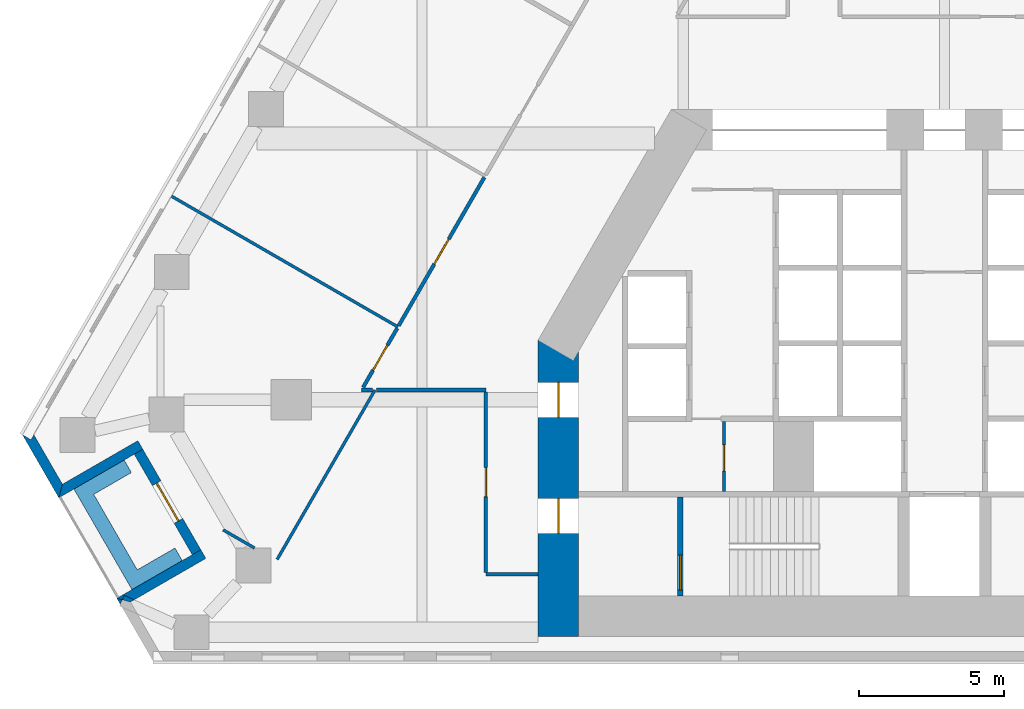
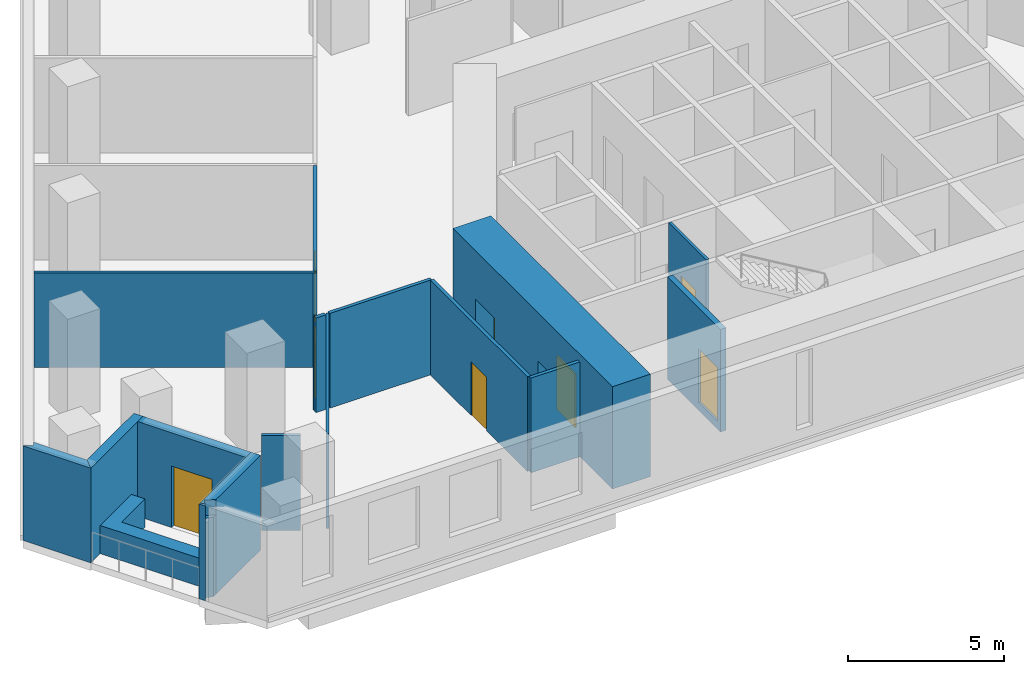
# One storey, part 3 of 11: 19 walls, 8 doors, 8 openings.
"""IFC4 building model written with IfcOpenShell, lengths in metres."""

from ifc_helpers import new_model, si_unit, direction, frame, frame_2d, origin, place, context, subcontext, project, spatial, polyline, rectangle, outline, extrude, material, layer, layer_set, type_object, element, fill, save


model = new_model("IFC4")

# Units and contexts
model_context = context("Model", 3, precision=1e-05, world=origin(), true_north=direction((0.0, 1.0)))
body_context = subcontext(model_context, "Body", "Model", "MODEL_VIEW")
ifc_project = project(units=[si_unit("LENGTHUNIT", "METRE"), si_unit("AREAUNIT", "SQUARE_METRE"), si_unit("VOLUMEUNIT", "CUBIC_METRE"), si_unit("PLANEANGLEUNIT", "RADIAN"), si_unit("MASSUNIT", "GRAM", prefix="KILO")], contexts=[model_context])

# Site, building, storey
site_placement = place(None, origin())
site = spatial("IfcSite", under=ifc_project, at=site_placement, CompositionType="ELEMENT")
building_placement = place(site_placement, origin())
building = spatial("IfcBuilding", under=site, at=building_placement, Name="Fogline Exchange Tower", CompositionType="ELEMENT")
storey_placement = place(building_placement, frame((0.0, 0.0, 60.89990234375)))
storey = spatial("IfcBuildingStorey", under=building, at=storey_placement, Name="L12", CompositionType="ELEMENT", Elevation=60.89990234375)

# Wall, opening, door
ifc_material_1 = material(Name="Blockwork partition", Category="masonry")
ifc_layer_1 = layer(ifc_material_1, 0.10009765625)
ifc_layer_set_1 = layer_set([ifc_layer_1], Name="CW10")
wall_type_1 = type_object("IfcWallType", Name="CW10", PredefinedType="PARTITIONING", material=ifc_layer_set_1)
wall_1_placement = place(storey_placement, frame((-7.60009765625, 5.85009765625, 0.0), z_axis=(0.0, 0.0, 1.0), x_axis=(0.0, 1.0, 0.0)))
wall_1 = element("IfcWall", 1, at=wall_1_placement, inside=storey, type_object=wall_type_1, Name="WC partition", PredefinedType="PARTITIONING", context=body_context, shape_type="SweptSolid", body=[
    extrude(rectangle(XDim=2.39990234375, YDim=0.10009765625, at=frame_2d((1.199951171875, 0.0))), origin(), (0.0, 0.0, 1.0), 3.7001953125),
])
opening_1_placement = place(wall_1_placement, frame((0.699951171875, 0.0, 0.0)))
opening_1 = element("IfcOpeningElement", 2, at=opening_1_placement, cuts=wall_1, Name="Opening T03-C009", PredefinedType="OPENING", context=body_context, shape_type="SweptSolid", body=[
    extrude(rectangle(XDim=0.89990234375, YDim=2.10009765625, at=frame_2d((0.449951171875, 1.050048828125))), frame((0.0, 0.06005859375, 0.0), z_axis=(0.0, -1.0, 0.0), x_axis=(1.0, 0.0, 0.0)), (0.0, 0.0, 1.0), 0.1201171875),
])
ifc_material_2 = material(Name="Steel and timber fire door", Category="steel")
door_type_1 = type_object("IfcDoorType", Name="D-CS1", OperationType="SINGLE_SWING_RIGHT", PredefinedType="DOOR", material=ifc_material_2)
door_1_placement = place(opening_1_placement, frame((0.89990234375, 0.0, 0.0), z_axis=(0.0, 0.0, 1.0), x_axis=(-1.0, 0.0, 0.0)))
door_1 = element("IfcDoor", 3, at=door_1_placement, inside=storey, type_object=door_type_1, Name="Door to Cleaner's Store", OperationType="SINGLE_SWING_RIGHT", OverallHeight=2.10009765625, OverallWidth=0.89990234375, PredefinedType="DOOR", context=body_context, shape_type="SweptSolid", body=[
    extrude(rectangle(XDim=0.89990234375, YDim=2.10009765625, at=frame_2d((0.449951171875, 1.050048828125))), frame((0.0, 0.02490234375, 0.0), z_axis=(0.0, -1.0, 0.0), x_axis=(1.0, 0.0, 0.0)), (0.0, 0.0, 1.0), 0.050048828125),
])
fill(opening_1, door_1)

ifc_material_3 = material(Name="Concrete C40", Category="concrete")
ifc_layer_2 = layer(ifc_material_3, 0.199951171875)
ifc_layer_set_2 = layer_set([ifc_layer_2], Name="CW20R")
wall_type_2 = type_object("IfcWallType", Name="CW20R", PredefinedType="SOLIDWALL", material=ifc_layer_set_2)
wall_2_placement = place(storey_placement, frame((-9.10009765625, 2.25, -0.2998046875), z_axis=(0.0, 0.0, 1.0), x_axis=(0.0, 1.0, 0.0)))
wall_2 = element("IfcWall", 4, at=wall_2_placement, inside=storey, type_object=wall_type_2, Name="Stair enclosure wall", PredefinedType="SOLIDWALL", context=body_context, shape_type="SweptSolid", body=[
    extrude(rectangle(XDim=3.39990234375, YDim=0.199951171875, at=frame_2d((1.699951171875, 0.0))), origin(), (0.0, 0.0, 1.0), 4.0),
])
opening_2_placement = place(wall_2_placement, frame((0.199951171875, 0.0, 0.300048828125)))
opening_2 = element("IfcOpeningElement", 5, at=opening_2_placement, cuts=wall_2, Name="Opening T03-C011", PredefinedType="OPENING", context=body_context, shape_type="SweptSolid", body=[
    extrude(rectangle(XDim=1.199951171875, YDim=2.10009765625, at=frame_2d((0.60009765625, 1.050048828125))), frame((0.0, 0.10986328125, 0.0), z_axis=(0.0, -1.0, 0.0), x_axis=(1.0, 0.0, 0.0)), (0.0, 0.0, 1.0), 0.219970703125),
])
door_type_2 = type_object("IfcDoorType", Name="D-ST1", OperationType="SINGLE_SWING_LEFT", PredefinedType="DOOR", material=ifc_material_2)
door_2_placement = place(opening_2_placement, frame((1.199951171875, 0.0, 0.0), z_axis=(0.0, 0.0, 1.0), x_axis=(-1.0, 0.0, 0.0)))
door_2 = element("IfcDoor", 6, at=door_2_placement, inside=storey, type_object=door_type_2, Name="Stair door ST1", OperationType="SINGLE_SWING_RIGHT", OverallHeight=2.10009765625, OverallWidth=1.199951171875, PredefinedType="DOOR", context=body_context, shape_type="SweptSolid", body=[
    extrude(rectangle(XDim=1.199951171875, YDim=2.10009765625, at=frame_2d((0.60009765625, 1.050048828125))), frame((0.0, 0.02490234375, 0.0), z_axis=(0.0, -1.0, 0.0), x_axis=(1.0, 0.0, 0.0)), (0.0, 0.0, 1.0), 0.050048828125),
])
fill(opening_2, door_2)

# Walls
ifc_material_4 = material(Name="Brick masonry", Category="masonry")
ifc_layer_3 = layer(ifc_material_4, 0.340087890625)
ifc_layer_set_3 = layer_set([ifc_layer_3], Name="FW1")
wall_type_3 = type_object("IfcWallType", Name="FW1", PredefinedType="SOLIDWALL", material=ifc_layer_set_3)
wall_3_placement = place(storey_placement, origin())
element("IfcWall", 7, at=wall_3_placement, inside=storey, type_object=wall_type_3, Name="Brick wall L12 SW-c1", PredefinedType="SOLIDWALL", context=body_context, shape_type="SweptSolid", body=[
    extrude(outline(polyline([(-30.505126953125, 5.6279296875), (-31.75634765625, 7.794921875), (-31.755859375, 7.79541015625), (-31.4609375, 7.625), (-31.362548828125, 7.79541015625), (-30.380126953125, 6.09375), (-30.5048828125, 5.6279296875), (-30.505126953125, 5.6279296875)])), origin(), (0.0, 0.0, 1.0), 3.7001953125),
])
wall_4_placement = place(storey_placement, origin())
element("IfcWall", 8, at=wall_4_placement, inside=storey, type_object=wall_type_3, Name="Brick wall L12 SW-s1", PredefinedType="SOLIDWALL", context=body_context, shape_type="SweptSolid", body=[
    extrude(outline(polyline([(-27.782470703125, 7.594482421875), (-27.61181640625, 7.298828125), (-27.90673828125, 7.128662109375), (-30.505859375, 5.628173828125), (-30.506103515625, 5.62841796875), (-30.38134765625, 6.093994140625), (-27.782470703125, 7.594482421875)])), origin(), (0.0, 0.0, 1.0), 3.7001953125),
])

# Wall, opening, door
wall_5_placement = place(storey_placement, frame((-27.760009765625, 7.214111328125, 0.0), z_axis=(0.0, 0.0, 1.0), x_axis=(0.49999894854, -0.866026010844, 0.0)))
wall_5 = element("IfcWall", 9, at=wall_5_placement, inside=storey, type_object=wall_type_3, Name="Brick wall L12 SW-bk", PredefinedType="SOLIDWALL", context=body_context, shape_type="SweptSolid", body=[
    extrude(rectangle(XDim=4.0, YDim=0.340087890625, at=frame_2d((2.0, 0.0))), origin(), (0.0, 0.0, 1.0), 3.7001953125),
])
opening_3_placement = place(wall_5_placement, frame((1.25, 0.0, 0.0)))
opening_3 = element("IfcOpeningElement", 10, at=opening_3_placement, cuts=wall_5, Name="Opening T03-E021", PredefinedType="OPENING", context=body_context, shape_type="SweptSolid", body=[
    extrude(rectangle(XDim=1.5, YDim=2.39990234375, at=frame_2d((0.75, 1.199951171875))), frame((0.0, 0.18017578125, 0.0), z_axis=(0.0, -1.0, 0.0), x_axis=(1.0, 0.0, 0.0)), (0.0, 0.0, 1.0), 0.360107421875),
])
ifc_material_5 = material(Name="Aluminium and glass", Category="aluminium")
door_type_3 = type_object("IfcDoorType", Name="ED4", OperationType="SINGLE_SWING_LEFT", PredefinedType="DOOR", material=ifc_material_5)
door_3_placement = place(opening_3_placement, frame((1.5, 0.0, 0.0), z_axis=(0.0, 0.0, 1.0), x_axis=(-1.0, 0.0, 0.0)))
door_3 = element("IfcDoor", 11, at=door_3_placement, inside=storey, type_object=door_type_3, Name="Balcony door L12 SW", OperationType="DOUBLE_DOOR_SINGLE_SWING", OverallHeight=2.39990234375, OverallWidth=1.5, PredefinedType="DOOR", context=body_context, shape_type="SweptSolid", body=[
    extrude(rectangle(XDim=1.5, YDim=2.39990234375, at=frame_2d((0.75, 1.199951171875))), frame((0.0, 0.02490234375, 0.0), z_axis=(0.0, -1.0, 0.0), x_axis=(1.0, 0.0, 0.0)), (0.0, 0.0, 1.0), 0.050048828125),
])
fill(opening_3, door_3)

# Walls
wall_6_placement = place(storey_placement, origin())
element("IfcWall", 12, at=wall_6_placement, inside=storey, type_object=wall_type_3, Name="Brick wall L12 SW-s2", PredefinedType="SOLIDWALL", context=body_context, shape_type="SweptSolid", body=[
    extrude(outline(polyline([(-28.040771484375, 2.0400390625), (-28.321044921875, 2.114990234375), (-28.25146484375, 2.2685546875), (-27.911376953125, 2.11474609375), (-28.040771484375, 2.0400390625)])), origin(), (0.0, 0.0, 1.0), 3.10009765625),
])
wall_7_placement = place(storey_placement, origin())
element("IfcWall", 13, at=wall_7_placement, inside=storey, type_object=wall_type_3, Name="Brick wall L12 SW-s2", PredefinedType="SOLIDWALL", context=body_context, shape_type="SweptSolid", body=[
    extrude(outline(polyline([(-25.907470703125, 3.66552734375), (-25.612548828125, 3.8359375), (-25.44189453125, 3.540283203125), (-27.911376953125, 2.11474609375), (-28.25146484375, 2.2685546875), (-28.321044921875, 2.114990234375), (-28.50634765625, 2.164794921875), (-28.50634765625, 2.1650390625), (-25.907470703125, 3.66552734375)])), origin(), (0.0, 0.0, 1.0), 3.7001953125),
])
wall_8_placement = place(storey_placement, origin())
element("IfcWall", 14, at=wall_8_placement, inside=storey, type_object=wall_type_3, Name="Brick wall L12 SW-c2", PredefinedType="SOLIDWALL", context=body_context, shape_type="SweptSolid", body=[
    extrude(outline(polyline([(-28.50634765625, 2.165771484375), (-28.506103515625, 2.166015625), (-28.3203125, 2.1162109375), (-28.389404296875, 1.96337890625), (-28.50634765625, 2.165771484375)])), origin(), (0.0, 0.0, 1.0), 3.7001953125),
])
ifc_material_6 = material(Name="Concrete C30", Category="concrete")
ifc_layer_4 = layer(ifc_material_6, 0.199951171875)
ifc_layer_set_4 = layer_set([ifc_layer_4], Name="PL1")
wall_type_4 = type_object("IfcWallType", Name="PL1", PredefinedType="USERDEFINED", material=ifc_layer_set_4)
wall_9_placement = place(storey_placement, origin())
element("IfcWall", 15, at=wall_9_placement, inside=storey, type_object=wall_type_4, Name="PLANTER balcony L12 SW", ObjectType="PLANTER", PredefinedType="USERDEFINED", context=body_context, shape_type="SweptSolid", body=[
    extrude(outline(polyline([(-26.503662109375, 3.898193359375), (-27.802490234375, 3.148193359375), (-29.302490234375, 5.74609375), (-28.003662109375, 6.49609375), (-28.253662109375, 6.92919921875), (-29.985595703125, 5.92919921875), (-29.735595703125, 5.49609375), (-27.985595703125, 2.465087890625), (-27.552490234375, 2.715087890625), (-27.552490234375, 2.715087890625), (-26.253662109375, 3.465087890625), (-26.503662109375, 3.898193359375)])), origin(), (0.0, 0.0, 1.0), 1.10009765625),
])
ifc_material_7 = material(Name="Plasterboard partition, 2 layers each side on steel studs", Category="steel")
ifc_layer_5 = layer(ifc_material_7, 0.10009765625)
ifc_layer_set_5 = layer_set([ifc_layer_5], Name="PW1")
wall_type_5 = type_object("IfcWallType", Name="PW1", PredefinedType="PARTITIONING", material=ifc_layer_set_5)
wall_10_placement = place(storey_placement, frame((-18.823974609375, 11.51171875, 0.0), z_axis=(0.0, 0.0, 1.0), x_axis=(-0.866024315419, 0.5000018851, 0.0)))
element("IfcWall", 16, at=wall_10_placement, inside=storey, type_object=wall_type_5, Name="wall-L12-W052", PredefinedType="PARTITIONING", context=body_context, shape_type="SweptSolid", body=[
    extrude(rectangle(XDim=9.0, YDim=0.10009765625, at=frame_2d((4.5, 0.0))), origin(), (0.0, 0.0, 1.0), 3.7001953125),
])
wall_11_placement = place(storey_placement, frame((-19.615966796875, 9.340087890625, 0.0), z_axis=(0.0, 0.0, 1.0), x_axis=(-0.500013134444, -0.866017820477, 0.0)))
element("IfcWall", 17, at=wall_11_placement, inside=storey, type_object=wall_type_5, Name="wall-L12-W053", PredefinedType="PARTITIONING", context=body_context, shape_type="SweptSolid", body=[
    extrude(rectangle(XDim=6.737060546875, YDim=0.10009765625, at=frame_2d((3.36865234375, 0.0))), origin(), (0.0, 0.0, 1.0), 3.7001953125),
])
wall_12_placement = place(storey_placement, frame((-23.765869140625, 3.89892578125, 0.0), z_axis=(0.0, 0.0, 1.0), x_axis=(-0.865963302823, 0.500107546598, 0.0)))
element("IfcWall", 18, at=wall_12_placement, inside=storey, type_object=wall_type_5, Name="wall-L12-W054", PredefinedType="PARTITIONING", context=body_context, shape_type="SweptSolid", body=[
    extrude(rectangle(XDim=1.243896484375, YDim=0.10009765625, at=frame_2d((0.6220703125, 0.0))), origin(), (0.0, 0.0, 1.0), 3.7001953125),
])
ifc_material_8 = material(Name="Plasterboard corridor partition with mineral wool, 2 layers each side")
ifc_layer_6 = layer(ifc_material_8, 0.125)
ifc_layer_set_6 = layer_set([ifc_layer_6], Name="PW2")
wall_type_6 = type_object("IfcWallType", Name="PW2", PredefinedType="PARTITIONING", material=ifc_layer_set_6)
wall_13_placement = place(storey_placement, frame((-14.0, 3.0, 0.0), z_axis=(0.0, 0.0, 1.0), x_axis=(-1.0, 0.0, 0.0)))
element("IfcWall", 19, at=wall_13_placement, inside=storey, type_object=wall_type_6, Name="wall-L12-W008", PredefinedType="PARTITIONING", context=body_context, shape_type="SweptSolid", body=[
    extrude(rectangle(XDim=1.800048828125, YDim=0.125, at=frame_2d((0.89990234375, 0.0))), origin(), (0.0, 0.0, 1.0), 3.7001953125),
])

# Wall, opening, door
wall_14_placement = place(storey_placement, frame((-15.800048828125, 3.0625, 0.0), z_axis=(0.0, 0.0, 1.0), x_axis=(0.0, 1.0, 0.0)))
wall_14 = element("IfcWall", 20, at=wall_14_placement, inside=storey, type_object=wall_type_6, Name="wall-L12-W009", PredefinedType="PARTITIONING", context=body_context, shape_type="SweptSolid", body=[
    extrude(rectangle(XDim=6.215087890625, YDim=0.125, at=frame_2d((3.107421875, 0.0))), origin(), (0.0, 0.0, 1.0), 3.7001953125),
])
opening_4_placement = place(wall_14_placement, frame((2.607421875, 0.0, 0.0)))
opening_4 = element("IfcOpeningElement", 21, at=opening_4_placement, cuts=wall_14, Name="Opening T03-D004", PredefinedType="OPENING", context=body_context, shape_type="SweptSolid", body=[
    extrude(rectangle(XDim=1.0, YDim=2.10009765625, at=frame_2d((0.5, 1.050048828125))), frame((0.0, 0.072509765625, 0.0), z_axis=(0.0, -1.0, 0.0), x_axis=(1.0, 0.0, 0.0)), (0.0, 0.0, 1.0), 0.14501953125),
])
ifc_material_9 = material(Name="Fire-rated timber door leaf with steel frame", Category="steel")
door_type_4 = type_object("IfcDoorType", Name="D3", OperationType="SINGLE_SWING_LEFT", PredefinedType="DOOR", material=ifc_material_9)
door_4_placement = place(opening_4_placement, origin())
door_4 = element("IfcDoor", 22, at=door_4_placement, inside=storey, type_object=door_type_4, Name="door-L12-D004", OperationType="SINGLE_SWING_LEFT", OverallHeight=2.10009765625, OverallWidth=1.0, PredefinedType="DOOR", context=body_context, shape_type="SweptSolid", body=[
    extrude(rectangle(XDim=1.0, YDim=2.10009765625, at=frame_2d((0.5, 1.050048828125))), frame((0.0, 0.02490234375, 0.0), z_axis=(0.0, -1.0, 0.0), x_axis=(1.0, 0.0, 0.0)), (0.0, 0.0, 1.0), 0.050048828125),
])
fill(opening_4, door_4)

wall_15_placement = place(storey_placement, frame((-18.798583984375, 11.555419921875, 0.0), z_axis=(0.0, 0.0, 1.0), x_axis=(0.499949350311, 0.866054644421, 0.0)))
wall_15 = element("IfcWall", 23, at=wall_15_placement, inside=storey, type_object=wall_type_6, Name="wall-L12-W024", PredefinedType="PARTITIONING", context=body_context, shape_type="SweptSolid", body=[
    extrude(rectangle(XDim=5.89892578125, YDim=0.125, at=frame_2d((2.949462890625, 0.0))), origin(), (0.0, 0.0, 1.0), 3.7001953125),
])
opening_5_placement = place(wall_15_placement, frame((2.449462890625, 0.0, 0.0)))
opening_5 = element("IfcOpeningElement", 24, at=opening_5_placement, cuts=wall_15, Name="Opening T03-D014", PredefinedType="OPENING", context=body_context, shape_type="SweptSolid", body=[
    extrude(rectangle(XDim=1.0, YDim=2.10009765625, at=frame_2d((0.5, 1.050048828125))), frame((0.0, 0.072509765625, 0.0), z_axis=(0.0, -1.0, 0.0), x_axis=(1.0, 0.0, 0.0)), (0.0, 0.0, 1.0), 0.14501953125),
])
door_5_placement = place(opening_5_placement, origin())
door_5 = element("IfcDoor", 25, at=door_5_placement, inside=storey, type_object=door_type_4, Name="door-L12-D014", OperationType="SINGLE_SWING_LEFT", OverallHeight=2.10009765625, OverallWidth=1.0, PredefinedType="DOOR", context=body_context, shape_type="SweptSolid", body=[
    extrude(rectangle(XDim=1.0, YDim=2.10009765625, at=frame_2d((0.5, 1.050048828125))), frame((0.0, 0.02490234375, 0.0), z_axis=(0.0, -1.0, 0.0), x_axis=(1.0, 0.0, 0.0)), (0.0, 0.0, 1.0), 0.050048828125),
])
fill(opening_5, door_5)

# Wall
wall_16_placement = place(storey_placement, frame((-19.710205078125, 9.340087890625, 0.0), z_axis=(0.0, 0.0, 1.0), x_axis=(-1.0, 0.0, 0.0)))
element("IfcWall", 26, at=wall_16_placement, inside=storey, type_object=wall_type_6, Name="wall-L12-W025", PredefinedType="PARTITIONING", context=body_context, shape_type="SweptSolid", body=[
    extrude(rectangle(XDim=0.36767578125, YDim=0.125, at=frame_2d((0.183837890625, 0.0))), origin(), (0.0, 0.0, 1.0), 3.7001953125),
])

# Wall, opening, door
wall_17_placement = place(storey_placement, frame((-20.0234375, 9.43408203125, 0.0), z_axis=(0.0, 0.0, 1.0), x_axis=(0.499929430274, 0.866066143401, 0.0)))
wall_17 = element("IfcWall", 27, at=wall_17_placement, inside=storey, type_object=wall_type_6, Name="wall-L12-W026", PredefinedType="PARTITIONING", context=body_context, shape_type="SweptSolid", body=[
    extrude(rectangle(XDim=2.348388671875, YDim=0.125, at=frame_2d((1.17431640625, 0.0))), origin(), (0.0, 0.0, 1.0), 3.7001953125),
])
opening_6_placement = place(wall_17_placement, frame((0.67431640625, 0.0, 0.0)))
opening_6 = element("IfcOpeningElement", 28, at=opening_6_placement, cuts=wall_17, Name="Opening T03-D015", PredefinedType="OPENING", context=body_context, shape_type="SweptSolid", body=[
    extrude(rectangle(XDim=1.0, YDim=2.10009765625, at=frame_2d((0.5, 1.050048828125))), frame((0.0, 0.072509765625, 0.0), z_axis=(0.0, -1.0, 0.0), x_axis=(1.0, 0.0, 0.0)), (0.0, 0.0, 1.0), 0.14501953125),
])
door_6_placement = place(opening_6_placement, origin())
door_6 = element("IfcDoor", 29, at=door_6_placement, inside=storey, type_object=door_type_4, Name="door-L12-D015", OperationType="SINGLE_SWING_LEFT", OverallHeight=2.10009765625, OverallWidth=1.0, PredefinedType="DOOR", context=body_context, shape_type="SweptSolid", body=[
    extrude(rectangle(XDim=1.0, YDim=2.10009765625, at=frame_2d((0.5, 1.050048828125))), frame((0.0, 0.02490234375, 0.0), z_axis=(0.0, -1.0, 0.0), x_axis=(1.0, 0.0, 0.0)), (0.0, 0.0, 1.0), 0.050048828125),
])
fill(opening_6, door_6)

# Wall
wall_18_placement = place(storey_placement, frame((-15.800048828125, 9.340087890625, 0.0), z_axis=(0.0, 0.0, 1.0), x_axis=(-1.0, 0.0, 0.0)))
element("IfcWall", 30, at=wall_18_placement, inside=storey, type_object=wall_type_6, Name="wall-L12-W027", PredefinedType="PARTITIONING", context=body_context, shape_type="SweptSolid", body=[
    extrude(rectangle(XDim=3.772216796875, YDim=0.125, at=frame_2d((1.88623046875, 0.0))), origin(), (0.0, 0.0, 1.0), 3.7001953125),
])

# Wall, openings, doors
ifc_material_10 = material(Name="Concrete C60", Category="concrete")
ifc_layer_7 = layer(ifc_material_10, 1.39990234375)
ifc_layer_set_7 = layer_set([ifc_layer_7], Name="SW01")
wall_type_7 = type_object("IfcWallType", Name="SW01", PredefinedType="SHEAR", material=ifc_layer_set_7)
wall_19_placement = place(storey_placement, frame((-13.300048828125, 11.052490234375, 0.0), z_axis=(0.0, 0.0, 1.0), x_axis=(0.0, -1.0, 0.0)))
wall_19 = element("IfcWall", 31, at=wall_19_placement, inside=storey, type_object=wall_type_7, Name="L12-W906", PredefinedType="SHEAR", context=body_context, shape_type="SweptSolid", body=[
    extrude(rectangle(XDim=10.202392578125, YDim=1.39990234375, at=frame_2d((5.10107421875, 0.0))), origin(), (0.0, 0.0, 1.0), 4.0),
])
opening_7_placement = place(wall_19_placement, frame((5.45263671875, 0.0, 0.0)))
opening_7 = element("IfcOpeningElement", 32, at=opening_7_placement, cuts=wall_19, Name="Opening T03-C010", PredefinedType="OPENING", context=body_context, shape_type="SweptSolid", body=[
    extrude(rectangle(XDim=1.199951171875, YDim=2.10009765625, at=frame_2d((0.60009765625, 1.050048828125))), frame((0.0, 0.7099609375, 0.0), z_axis=(0.0, -1.0, 0.0), x_axis=(1.0, 0.0, 0.0)), (0.0, 0.0, 1.0), 1.419921875),
])
opening_8_placement = place(wall_19_placement, frame((1.45263671875, 0.0, 0.0)))
opening_8 = element("IfcOpeningElement", 33, at=opening_8_placement, cuts=wall_19, Name="Opening T03-C012", PredefinedType="OPENING", context=body_context, shape_type="SweptSolid", body=[
    extrude(rectangle(XDim=1.199951171875, YDim=2.10009765625, at=frame_2d((0.60009765625, 1.050048828125))), frame((0.0, 0.7099609375, 0.0), z_axis=(0.0, -1.0, 0.0), x_axis=(1.0, 0.0, 0.0)), (0.0, 0.0, 1.0), 1.419921875),
])
door_type_5 = type_object("IfcDoorType", Name="D-FR1", OperationType="SINGLE_SWING_RIGHT", PredefinedType="DOOR", material=ifc_material_2)
door_7_placement = place(opening_7_placement, origin())
door_7 = element("IfcDoor", 34, at=door_7_placement, inside=storey, type_object=door_type_5, Name="Front room door ST1", OperationType="SINGLE_SWING_LEFT", OverallHeight=2.10009765625, OverallWidth=1.199951171875, PredefinedType="DOOR", context=body_context, shape_type="SweptSolid", body=[
    extrude(rectangle(XDim=1.199951171875, YDim=2.10009765625, at=frame_2d((0.60009765625, 1.050048828125))), frame((0.0, 0.02490234375, 0.0), z_axis=(0.0, -1.0, 0.0), x_axis=(1.0, 0.0, 0.0)), (0.0, 0.0, 1.0), 0.050048828125),
])
fill(opening_7, door_7)
door_type_6 = type_object("IfcDoorType", Name="D-SV1", OperationType="SINGLE_SWING_LEFT", PredefinedType="DOOR", material=ifc_material_2)
door_8_placement = place(opening_8_placement, origin())
door_8 = element("IfcDoor", 35, at=door_8_placement, inside=storey, type_object=door_type_6, Name="Service door W", OperationType="SINGLE_SWING_LEFT", OverallHeight=2.10009765625, OverallWidth=1.199951171875, PredefinedType="DOOR", context=body_context, shape_type="SweptSolid", body=[
    extrude(rectangle(XDim=1.199951171875, YDim=2.10009765625, at=frame_2d((0.60009765625, 1.050048828125))), frame((0.0, 0.02490234375, 0.0), z_axis=(0.0, -1.0, 0.0), x_axis=(1.0, 0.0, 0.0)), (0.0, 0.0, 1.0), 0.050048828125),
])
fill(opening_8, door_8)

save(model, "model.ifc")
